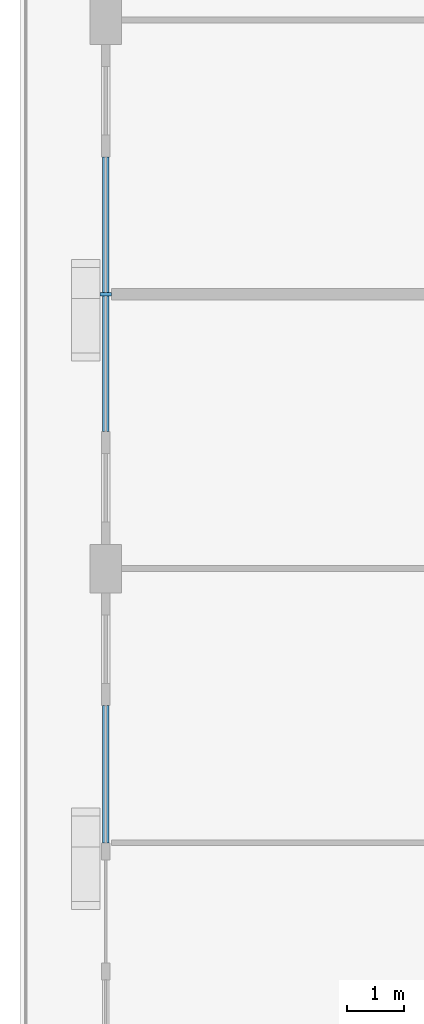
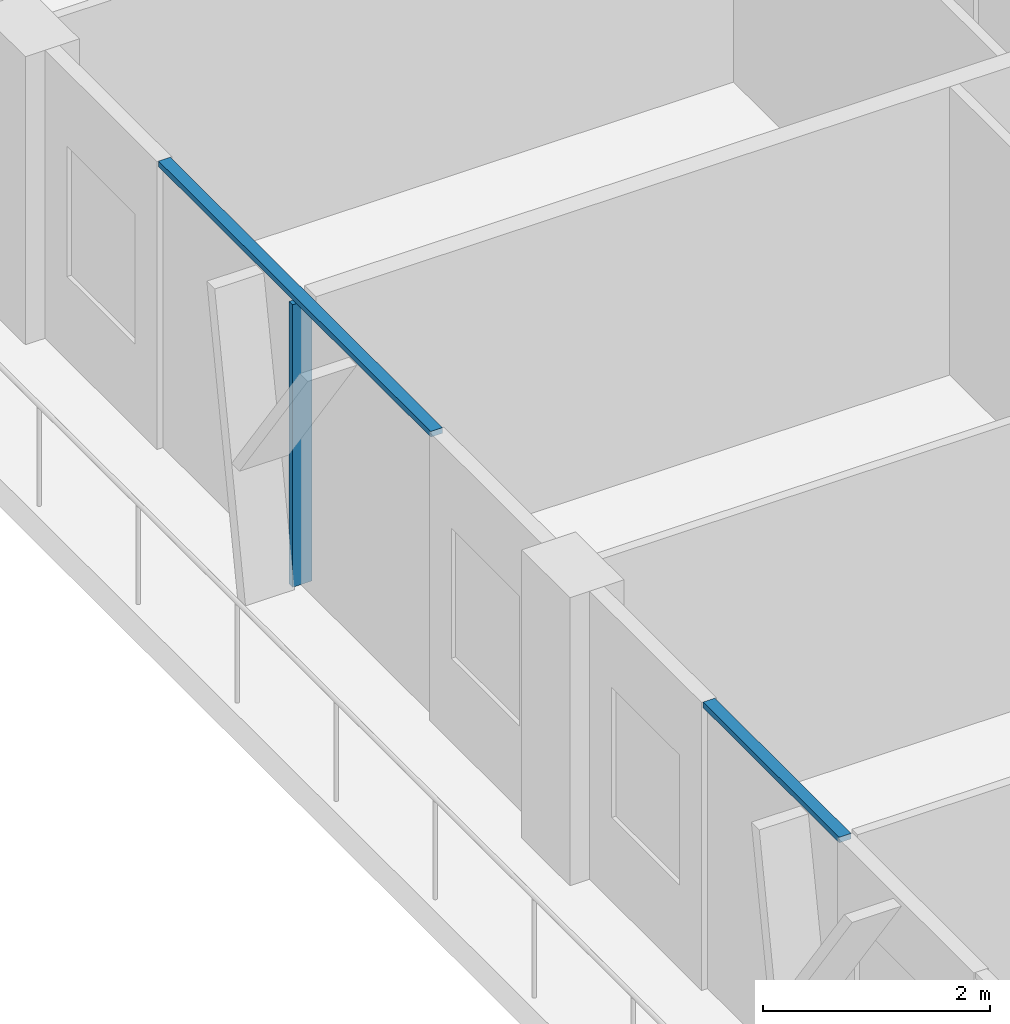
# One storey, part 3 of 22: 3 members, 2 elements without a shape of their own.
"""IFC4 building model written with IfcOpenShell, lengths in metres."""

import ifcopenshell
import ifcopenshell.guid

model = None  # the IFC model being written
_history = None  # IfcOwnerHistory: only IFC2X3 demands one
_inside = {}  # id of a spatial element -> (the spatial element, [elements in it])
_under = {}  # id of a project, library or spatial element -> (it, [spatial elements below it])
_declared = {}  # id of a project -> (the project, [libraries it declares])
_typed = {}  # id of a type object -> (the type object, [elements of that type])
_made_of = {}  # id of a material, layer set ... -> (it, [elements and type objects made of it])


def new_model(schema):
    """Start an empty IFC model of exactly this schema.

    Asked for "IFC4X3", IfcOpenShell would pick the latest addendum, in which some entities
    have other attributes; the version numbers below select the first issue.
    IFC2X3 requires an IfcOwnerHistory on every rooted entity: one is made here for all.
    """
    global model, _history
    if schema == "IFC4X3":
        model = ifcopenshell.file(schema_version=(4, 3, 0, 0))
    else:
        model = ifcopenshell.file(schema=schema)
    _inside.clear()
    _under.clear()
    _declared.clear()
    _typed.clear()
    _made_of.clear()
    _history = None
    if model.schema == "IFC2X3":
        org = make("IfcOrganization", Name="unknown")
        user = make(
            "IfcPersonAndOrganization",
            ThePerson=make("IfcPerson", FamilyName="unknown"),
            TheOrganization=org,
        )
        app = make(
            "IfcApplication",
            ApplicationDeveloper=org,
            Version="unknown",
            ApplicationFullName="unknown",
            ApplicationIdentifier="unknown",
        )
        _history = make(
            "IfcOwnerHistory",
            OwningUser=user,
            OwningApplication=app,
            ChangeAction="ADDED",
            CreationDate=0,
        )
    return model


def make(cls, **values):
    """One entity of the class cls with the attributes given. An attribute that is None is left unset."""
    return model.create_entity(
        cls, **{name: value for name, value in values.items() if value is not None}
    )


def rooted(cls, **values):
    """An entity with a GlobalId (a new one), such as an element, a storey or a relation."""
    return make(cls, GlobalId=ifcopenshell.guid.new(), OwnerHistory=_history, **values)


def si_unit(unit_type, name, prefix=None):
    """IfcSIUnit, for example si_unit("LENGTHUNIT", "METRE", prefix="MILLI")."""
    return make("IfcSIUnit", UnitType=unit_type, Prefix=prefix, Name=name)


def assignment(units):
    """IfcUnitAssignment: the units of a project."""
    return None if units is None else make("IfcUnitAssignment", Units=units)


def point(xyz):
    """IfcCartesianPoint."""
    return None if xyz is None else make("IfcCartesianPoint", Coordinates=xyz)


def direction(xyz):
    """IfcDirection."""
    return None if xyz is None else make("IfcDirection", DirectionRatios=xyz)


def frame(location, z_axis=None, x_axis=None):
    """IfcAxis2Placement3D, a coordinate frame: its origin and axes. An axis left out is left unset."""
    return make(
        "IfcAxis2Placement3D",
        Location=point(location),
        Axis=direction(z_axis),
        RefDirection=direction(x_axis),
    )


def frame_2d(location, x_axis=None):
    """IfcAxis2Placement2D, a coordinate frame in the plane: its origin and x axis."""
    return make(
        "IfcAxis2Placement2D", Location=point(location), RefDirection=direction(x_axis)
    )


def origin():
    """The frame at (0, 0, 0) with its axes left unset."""
    return frame((0.0, 0.0, 0.0))


def origin_2d():
    """The frame at (0, 0) in the plane with its x axis left unset."""
    return frame_2d((0.0, 0.0))


def place(relative_to, where):
    """IfcLocalPlacement: puts the frame where relative to a parent placement (None: the world)."""
    return make(
        "IfcLocalPlacement", PlacementRelTo=relative_to, RelativePlacement=where
    )


def context(
    kind, dimensions, precision=None, world=None, true_north=None, identifier=None
):
    """IfcGeometricRepresentationContext, for example the 3D "Model" context."""
    return make(
        "IfcGeometricRepresentationContext",
        ContextIdentifier=identifier,
        ContextType=kind,
        CoordinateSpaceDimension=dimensions,
        Precision=precision,
        WorldCoordinateSystem=world,
        TrueNorth=true_north,
    )


def subcontext(parent, identifier, kind, view, scale=None):
    """IfcGeometricRepresentationSubContext, for example "Body" below "Model"."""
    return make(
        "IfcGeometricRepresentationSubContext",
        ContextIdentifier=identifier,
        ContextType=kind,
        ParentContext=parent,
        TargetScale=scale,
        TargetView=view,
    )


def project(units=None, contexts=None):
    """IfcProject with its units and contexts."""
    return rooted(
        "IfcProject",
        Name="project",
        RepresentationContexts=contexts,
        UnitsInContext=assignment(units),
    )


def spatial(cls, under=None, at=None, **own):
    """A site, building, storey or space (cls), placed at a placement, below another one or the project."""
    s = rooted(cls, ObjectPlacement=at, **own)
    if under is not None:
        _under.setdefault(under.id(), (under, []))[1].append(s)
    return s


def profile(cls, at=None, kind="AREA", **sizes):
    """A parametric profile (cls). Its sizes go by their IFC names, for example OverallWidth=200.0."""
    return make(cls, ProfileType=kind, Position=at, **sizes)


def rectangle(**sizes):
    """IfcRectangleProfileDef."""
    return profile("IfcRectangleProfileDef", **sizes)


def extrude(swept, where, along, depth):
    """IfcExtrudedAreaSolid: the profile swept, set in the frame where, extruded along a direction by depth."""
    return make(
        "IfcExtrudedAreaSolid",
        SweptArea=swept,
        Position=where,
        ExtrudedDirection=direction(along),
        Depth=depth,
    )


def shape(context_of_items, identifier, shape_type, items):
    """IfcShapeRepresentation: the items that make up one representation, for example the "Body"."""
    return make(
        "IfcShapeRepresentation",
        ContextOfItems=context_of_items,
        RepresentationIdentifier=identifier,
        RepresentationType=shape_type,
        Items=items,
    )


def material(Name=None, Category=None):
    """IfcMaterial."""
    return make("IfcMaterial", Name=Name, Category=Category)


def layer(
    of_material, thickness, ventilated=None, Name=None, Category=None, Priority=None
):
    """IfcMaterialLayer: one layer of a wall or slab, of a material (None: an air gap)."""
    return make(
        "IfcMaterialLayer",
        Material=of_material,
        LayerThickness=thickness,
        IsVentilated=ventilated,
        Name=Name,
        Category=Category,
        Priority=Priority,
    )


def layer_set(layers, Name=None):
    """IfcMaterialLayerSet."""
    return make("IfcMaterialLayerSet", MaterialLayers=layers, LayerSetName=Name)


def material_profile(
    of_material, cross_section, Name=None, Category=None, Priority=None
):
    """IfcMaterialProfile: a cross section and its material."""
    return make(
        "IfcMaterialProfile",
        Name=Name,
        Material=of_material,
        Profile=cross_section,
        Priority=Priority,
        Category=Category,
    )


def profile_set(profiles, Name=None, composite=None):
    """IfcMaterialProfileSet."""
    return make(
        "IfcMaterialProfileSet",
        Name=Name,
        MaterialProfiles=profiles,
        CompositeProfile=composite,
    )


def made_of(thing, what):
    """Note that an element or type object is made of a material, layer set ...; save() writes the relation."""
    if what is not None:
        _made_of.setdefault(what.id(), (what, []))[1].append(thing)
    return thing


def type_object(cls, material=None, **own):
    """A type object (cls), such as IfcWallType, which elements share."""
    return made_of(rooted(cls, **own), material)


def element(
    cls,
    number,
    at=None,
    inside=None,
    cuts=None,
    type_object=None,
    material=None,
    context=None,
    identifier="Body",
    shape_type=None,
    held_by="IfcProductDefinitionShape",
    body=None,
    shapes=None,
    **own,
):
    """One element of the class cls, such as IfcWall. Its Tag is "e" and its number.

    at: its placement. inside: the storey or other place that contains it. cuts: it is an
    opening in that element (IfcRelVoidsElement). A single representation is given by context,
    identifier, shape_type and body (its items); several are given by shapes. held_by: the class
    of the entity that holds the representations. save() writes the other relations.
    """
    e = rooted(cls, Tag="e%d" % number, ObjectPlacement=at, **own)
    if body is not None:
        shapes = [shape(context, identifier, shape_type, body)]
    if shapes is not None:
        e.Representation = make(held_by, Representations=shapes)
    if inside is not None:
        _inside.setdefault(inside.id(), (inside, []))[1].append(e)
    if cuts is not None:
        rooted(
            "IfcRelVoidsElement", RelatingBuildingElement=cuts, RelatedOpeningElement=e
        )
    if type_object is not None:
        _typed.setdefault(type_object.id(), (type_object, []))[1].append(e)
    return made_of(e, material)


def aggregate(whole, parts):
    """IfcRelAggregates: a whole, such as a stair, and the parts it consists of."""
    return rooted("IfcRelAggregates", RelatingObject=whole, RelatedObjects=parts)


def save(model, path):
    """Write the relations noted so far, then the file.

    IfcRelAggregates (storeys below a building ...), IfcRelContainedInSpatialStructure (elements
    in a storey), IfcRelDefinesByType, IfcRelAssociatesMaterial and IfcRelDeclares: one each for
    every whole, place, type object, material and project.
    """
    for whole, parts in _under.values():
        aggregate(whole, parts)
    for where, things in _inside.values():
        rooted(
            "IfcRelContainedInSpatialStructure",
            RelatedElements=things,
            RelatingStructure=where,
        )
    for kind, things in _typed.values():
        rooted("IfcRelDefinesByType", RelatedObjects=things, RelatingType=kind)
    for what, things in _made_of.values():
        rooted("IfcRelAssociatesMaterial", RelatedObjects=things, RelatingMaterial=what)
    for by, libraries in _declared.values():
        rooted("IfcRelDeclares", RelatingContext=by, RelatedDefinitions=libraries)
    model.write(path)


model = new_model("IFC4")

# Units and contexts
model_context = context("Model", 3, precision=1e-05, world=origin(), true_north=direction((0.0, 1.0)))
body_context = subcontext(model_context, "Body", "Model", "MODEL_VIEW")
ifc_project = project(units=[si_unit("LENGTHUNIT", "METRE"), si_unit("AREAUNIT", "SQUARE_METRE"), si_unit("VOLUMEUNIT", "CUBIC_METRE"), si_unit("PLANEANGLEUNIT", "RADIAN"), si_unit("MASSUNIT", "GRAM", prefix="KILO")], contexts=[model_context])

# Site, building, storey
site_placement = place(None, origin())
site = spatial("IfcSite", under=ifc_project, at=site_placement, CompositionType="ELEMENT")
building_placement = place(site_placement, origin())
building = spatial("IfcBuilding", under=site, at=building_placement, Name="Madar Terraces", CompositionType="ELEMENT")
storey_placement = place(building_placement, frame((0.0, 0.0, 259.699951171875)))
storey = spatial("IfcBuildingStorey", under=building, at=storey_placement, Name="L68", CompositionType="ELEMENT", Elevation=259.699951171875)

# Curtain wall, members
ifc_material_1 = material(Name="Glass, ceramic frit dark grey, with black aluminium frame", Category="aluminium")
ifc_layer = layer(ifc_material_1, 0.199951171875)
ifc_layer_set = layer_set([ifc_layer], Name="Facade curtain wall, fritted glass")
curtain_wall_type = type_object("IfcCurtainWallType", Name="Facade curtain wall, fritted glass", PredefinedType="NOTDEFINED", material=ifc_layer_set)
curtain_wall_1_placement = place(storey_placement, origin())
curtain_wall_1 = element("IfcCurtainWall", 1, at=curtain_wall_1_placement, inside=storey, type_object=curtain_wall_type, Name="Outer skin curtain wall west bay 2", PredefinedType="NOTDEFINED")
ifc_material_2 = material(Name="Aluminium, black anodised", Category="aluminium")
ifc_material_profile_1 = material_profile(ifc_material_2, rectangle(XDim=0.199951171875, YDim=0.06005859375, at=origin_2d()), Name="Facade mullion 60x200")
ifc_profile_set_1 = profile_set([ifc_material_profile_1], Name="Aluminium, black anodised")
member_type_1 = type_object("IfcMemberType", Name="Facade mullion 60x200", PredefinedType="MULLION", material=ifc_profile_set_1)
member_1_placement = place(storey_placement, frame((0.0, 33.60009765625, 0.0), z_axis=(0.0, 0.0, 1.0), x_axis=(1.0, 0.0, 0.0)))
member_1 = element("IfcMember", 2, at=member_1_placement, type_object=member_type_1, Name="Mullion 1", PredefinedType="MULLION", context=body_context, shape_type="SweptSolid", body=[
    extrude(rectangle(XDim=0.199951171875, YDim=0.06005859375, at=origin_2d()), origin(), (0.0, 0.0, 1.0), 3.0400390625),
])
ifc_material_3 = material(Name="Aluminium, black anodised", Category="aluminium")
ifc_material_profile_2 = material_profile(ifc_material_3, rectangle(XDim=0.1201171875, YDim=0.06005859375, at=origin_2d()), Name="Facade transom 60x120")
ifc_profile_set_2 = profile_set([ifc_material_profile_2], Name="Aluminium, black anodised")
member_type_2 = type_object("IfcMemberType", Name="Facade transom 60x120", PredefinedType="USERDEFINED", material=ifc_profile_set_2)
member_2_placement = place(storey_placement, frame((0.0, 36.0, 3.070068359375), z_axis=(0.0, -1.0, 0.0), x_axis=(1.0, 0.0, 0.0)))
member_2 = element("IfcMember", 3, at=member_2_placement, type_object=member_type_2, Name="Transom 1", ObjectType="TRANSOM", PredefinedType="USERDEFINED", context=body_context, shape_type="SweptSolid", body=[
    extrude(rectangle(XDim=0.1201171875, YDim=0.06005859375, at=origin_2d()), origin(), (0.0, 0.0, 1.0), 4.800048828125),
])
aggregate(curtain_wall_1, [member_1, member_2])

# Curtain wall, member
curtain_wall_2_placement = place(storey_placement, origin())
curtain_wall_2 = element("IfcCurtainWall", 4, at=curtain_wall_2_placement, inside=storey, type_object=curtain_wall_type, Name="Outer skin curtain wall west bay 3", PredefinedType="NOTDEFINED")
member_3_placement = place(storey_placement, frame((0.0, 26.39990234375, 3.070068359375), z_axis=(0.0, -1.0, 0.0), x_axis=(1.0, 0.0, 0.0)))
member_3 = element("IfcMember", 5, at=member_3_placement, type_object=member_type_2, Name="Transom 1", ObjectType="TRANSOM", PredefinedType="USERDEFINED", context=body_context, shape_type="SweptSolid", body=[
    extrude(rectangle(XDim=0.1201171875, YDim=0.06005859375, at=origin_2d()), origin(), (0.0, 0.0, 1.0), 2.39990234375),
])
aggregate(curtain_wall_2, [member_3])

save(model, "model.ifc")
